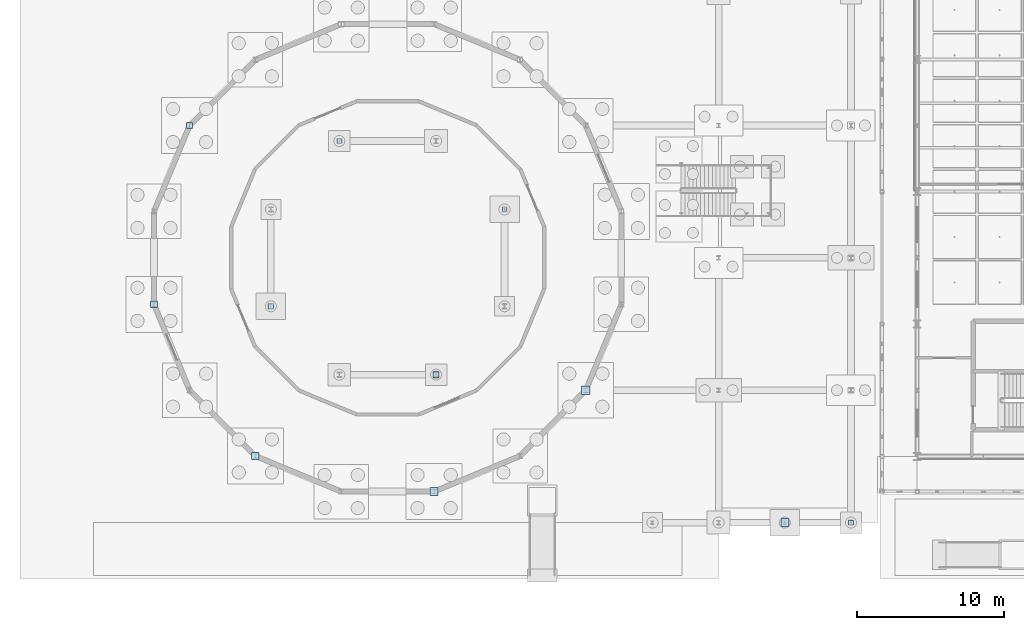
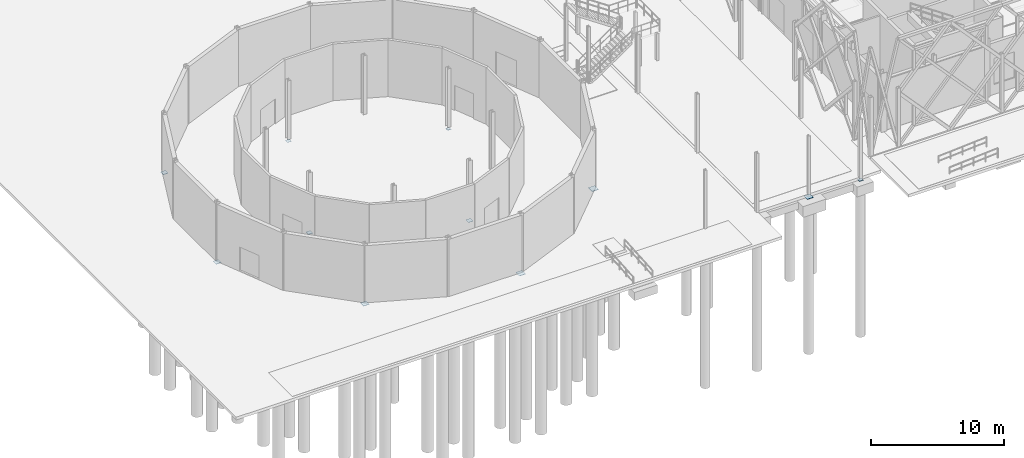
# One storey, part 76 of 180: 11 plates.
"""IFC4 building model written with IfcOpenShell, lengths in metres."""

from ifc_helpers import new_model, si_unit, direction, frame, origin, origin_2d, place, context, subcontext, project, spatial, rectangle, extrude, material, layer, layer_set, type_object, element, save


model = new_model("IFC4")

# Units and contexts
model_context = context("Model", 3, precision=1e-05, world=origin(), true_north=direction((0.0, 1.0)))
body_context = subcontext(model_context, "Body", "Model", "MODEL_VIEW")
ifc_project = project(units=[si_unit("LENGTHUNIT", "METRE"), si_unit("AREAUNIT", "SQUARE_METRE"), si_unit("VOLUMEUNIT", "CUBIC_METRE"), si_unit("PLANEANGLEUNIT", "RADIAN"), si_unit("MASSUNIT", "GRAM", prefix="KILO"), si_unit("THERMODYNAMICTEMPERATUREUNIT", "KELVIN"), si_unit("POWERUNIT", "WATT")], contexts=[model_context])

# Site, building, storey
site_placement = place(None, origin())
site = spatial("IfcSite", under=ifc_project, at=site_placement, CompositionType="ELEMENT")
building_placement = place(site_placement, origin())
building = spatial("IfcBuilding", under=site, at=building_placement, Name="Tallowbark Science Centre", CompositionType="ELEMENT")
storey_placement = place(building_placement, origin())
storey = spatial("IfcBuildingStorey", under=building, at=storey_placement, Name="L00", CompositionType="ELEMENT", Elevation=0.0)

# Plates
ifc_material = material(Name="Structural Steel Grade 300PLUS (300 MPa)", Category="steel")
ifc_layer_1 = layer(ifc_material, 0.010009765625)
ifc_layer_set_1 = layer_set([ifc_layer_1], Name="Structural Steel Grade 300PLUS (300 MPa)")
plate_type_1 = type_object("IfcPlateType", Name="PLT-GUS-10", PredefinedType="SHEET", material=ifc_layer_set_1)
plate_1_placement = place(storey_placement, frame((30.4453125, 21.291015625, -0.240234375), z_axis=(0.0, 0.0, 1.0), x_axis=(1.0, 0.0, 0.0)))
element("IfcPlate", 1, at=plate_1_placement, inside=storey, type_object=plate_type_1, Name="Column Baseplate DRM-I01", PredefinedType="SHEET", context=body_context, shape_type="SweptSolid", body=[
    extrude(rectangle(XDim=0.300048828125, YDim=0.300048828125, at=origin_2d()), origin(), (0.0, 0.0, 1.0), 0.010009765625),
])
ifc_layer_2 = layer(ifc_material, 0.013916015625)
ifc_layer_set_2 = layer_set([ifc_layer_2], Name="Structural Steel Grade 300PLUS (300 MPa)")
plate_type_2 = type_object("IfcPlateType", Name="PLT-GUS-14", PredefinedType="SHEET", material=ifc_layer_set_2)
for number, where, z_axis, x_axis, name in (
    (2, (19.208984375, 25.9453125, -0.23974609375), (0.0, 0.0, 1.0), (1.0, 0.0, 0.0), "Column Baseplate DRM-I03"),
    (3, (54.0, 0.0, -0.259765625), (0.0, 0.0, 1.0), (1.0, 0.0, 0.0), "Column Baseplate PAS-E00"),
):
    element("IfcPlate", number, at=place(storey_placement, frame(where, z_axis=z_axis, x_axis=x_axis)), inside=storey, type_object=plate_type_2, Name=name, PredefinedType="SHEET", context=body_context, shape_type="SweptSolid", body=[
        extrude(rectangle(XDim=0.340087890625, YDim=0.340087890625, at=origin_2d()), origin(), (0.0, 0.0, 1.0), 0.013916015625),
    ])
ifc_layer_3 = layer(ifc_material, 0.01806640625)
ifc_layer_set_3 = layer_set([ifc_layer_3], Name="Structural Steel Grade 300PLUS (300 MPa)")
plate_type_3 = type_object("IfcPlateType", Name="PLT-GUS-18", PredefinedType="SHEET", material=ifc_layer_set_3)
plate_2_placement = place(storey_placement, frame((14.5546875, 14.708984375, -0.239990234375), z_axis=(0.0, 0.0, 1.0), x_axis=(1.0, 0.0, 0.0)))
element("IfcPlate", 4, at=plate_2_placement, inside=storey, type_object=plate_type_3, Name="Column Baseplate DRM-I05", PredefinedType="SHEET", context=body_context, shape_type="SweptSolid", body=[
    extrude(rectangle(XDim=0.3798828125, YDim=0.3798828125, at=origin_2d()), origin(), (0.0, 0.0, 1.0), 0.01806640625),
])
ifc_layer_4 = layer(ifc_material, 0.02197265625)
ifc_layer_set_4 = layer_set([ifc_layer_4], Name="Structural Steel Grade 300PLUS (300 MPa)")
plate_type_4 = type_object("IfcPlateType", Name="PLT-GUS-22", PredefinedType="SHEET", material=ifc_layer_set_4)
for number, where, z_axis, x_axis, name in (
    (5, (9.0302734375, 27.000244140625, -0.239990234375), (0.0, 0.0, 1.0), (1.0, 0.0, 0.0), "Column Baseplate DRM-P07"),
    (6, (25.791015625, 10.0546875, -0.239990234375), (0.0, 0.0, 1.0), (1.0, 0.0, 0.0), "Column Baseplate DRM-I07"),
):
    element("IfcPlate", number, at=place(storey_placement, frame(where, z_axis=z_axis, x_axis=x_axis)), inside=storey, type_object=plate_type_4, Name=name, PredefinedType="SHEET", context=body_context, shape_type="SweptSolid", body=[
        extrude(rectangle(XDim=0.419921875, YDim=0.419921875, at=origin_2d()), origin(), (0.0, 0.0, 1.0), 0.02197265625),
    ])
ifc_layer_5 = layer(ifc_material, 0.02587890625)
ifc_layer_set_5 = layer_set([ifc_layer_5], Name="Structural Steel Grade 300PLUS (300 MPa)")
plate_type_5 = type_object("IfcPlateType", Name="PLT-GUS-26", PredefinedType="SHEET", material=ifc_layer_set_5)
plate_3_placement = place(storey_placement, frame((6.611328125, 14.839599609375, -0.239990234375), z_axis=(0.0, 0.0, 1.0), x_axis=(1.0, 0.0, 0.0)))
element("IfcPlate", 7, at=plate_3_placement, inside=storey, type_object=plate_type_5, Name="Column Baseplate DRM-P09", PredefinedType="SHEET", context=body_context, shape_type="SweptSolid", body=[
    extrude(rectangle(XDim=0.4599609375, YDim=0.4599609375, at=origin_2d()), origin(), (0.0, 0.0, 1.0), 0.02587890625),
])
ifc_layer_6 = layer(ifc_material, 0.030029296875)
ifc_layer_set_6 = layer_set([ifc_layer_6], Name="Structural Steel Grade 300PLUS (300 MPa)")
plate_type_6 = type_object("IfcPlateType", Name="PLT-GUS-30", PredefinedType="SHEET", material=ifc_layer_set_6)
plate_4_placement = place(storey_placement, frame((13.499755859375, 4.5302734375, -0.240234375), z_axis=(0.0, 0.0, 1.0), x_axis=(1.0, 0.0, 0.0)))
element("IfcPlate", 8, at=plate_4_placement, inside=storey, type_object=plate_type_6, Name="Column Baseplate DRM-P11", PredefinedType="SHEET", context=body_context, shape_type="SweptSolid", body=[
    extrude(rectangle(XDim=0.5, YDim=0.5, at=origin_2d()), origin(), (0.0, 0.0, 1.0), 0.030029296875),
])
ifc_layer_7 = layer(ifc_material, 0.033935546875)
ifc_layer_set_7 = layer_set([ifc_layer_7], Name="Structural Steel Grade 300PLUS (300 MPa)")
plate_type_7 = type_object("IfcPlateType", Name="PLT-GUS-34", PredefinedType="SHEET", material=ifc_layer_set_7)
for number, where, z_axis, x_axis, name in (
    (9, (25.660400390625, 2.111328125, -0.23974609375), (0.0, 0.0, 1.0), (1.0, 0.0, 0.0), "Column Baseplate DRM-P13"),
    (10, (49.5, 0.0, -0.259765625), (0.0, 0.0, 1.0), (1.0, 0.0, 0.0), "Column Baseplate CAN-S2"),
):
    element("IfcPlate", number, at=place(storey_placement, frame(where, z_axis=z_axis, x_axis=x_axis)), inside=storey, type_object=plate_type_7, Name=name, PredefinedType="SHEET", context=body_context, shape_type="SweptSolid", body=[
        extrude(rectangle(XDim=0.5400390625, YDim=0.5400390625, at=origin_2d()), origin(), (0.0, 0.0, 1.0), 0.033935546875),
    ])
ifc_layer_8 = layer(ifc_material, 0.0380859375)
ifc_layer_set_8 = layer_set([ifc_layer_8], Name="Structural Steel Grade 300PLUS (300 MPa)")
plate_type_8 = type_object("IfcPlateType", Name="PLT-GUS-38", PredefinedType="SHEET", material=ifc_layer_set_8)
plate_5_placement = place(storey_placement, frame((35.9697265625, 8.999755859375, -0.239990234375), z_axis=(0.0, 0.0, 1.0), x_axis=(1.0, 0.0, 0.0)))
element("IfcPlate", 11, at=plate_5_placement, inside=storey, type_object=plate_type_8, Name="Column Baseplate DRM-P15", PredefinedType="SHEET", context=body_context, shape_type="SweptSolid", body=[
    extrude(rectangle(XDim=0.580078125, YDim=0.580078125, at=origin_2d()), origin(), (0.0, 0.0, 1.0), 0.0380859375),
])

save(model, "model.ifc")
